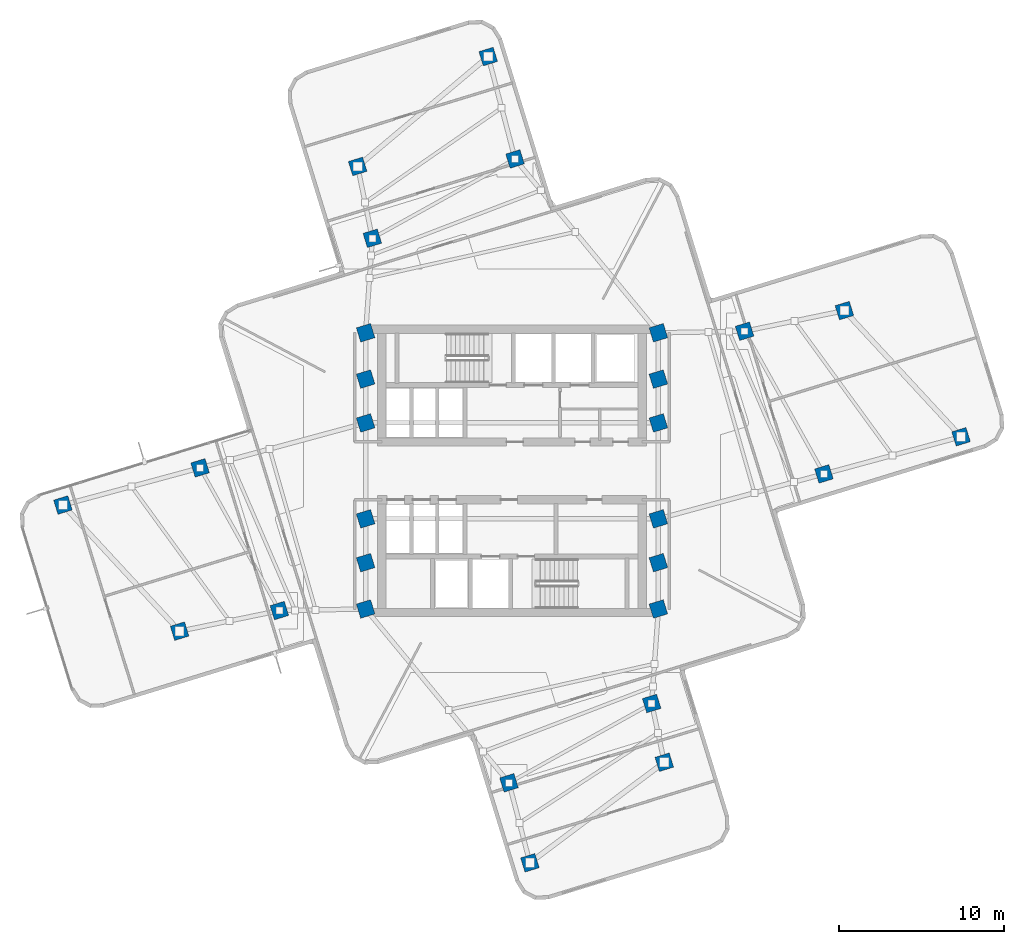
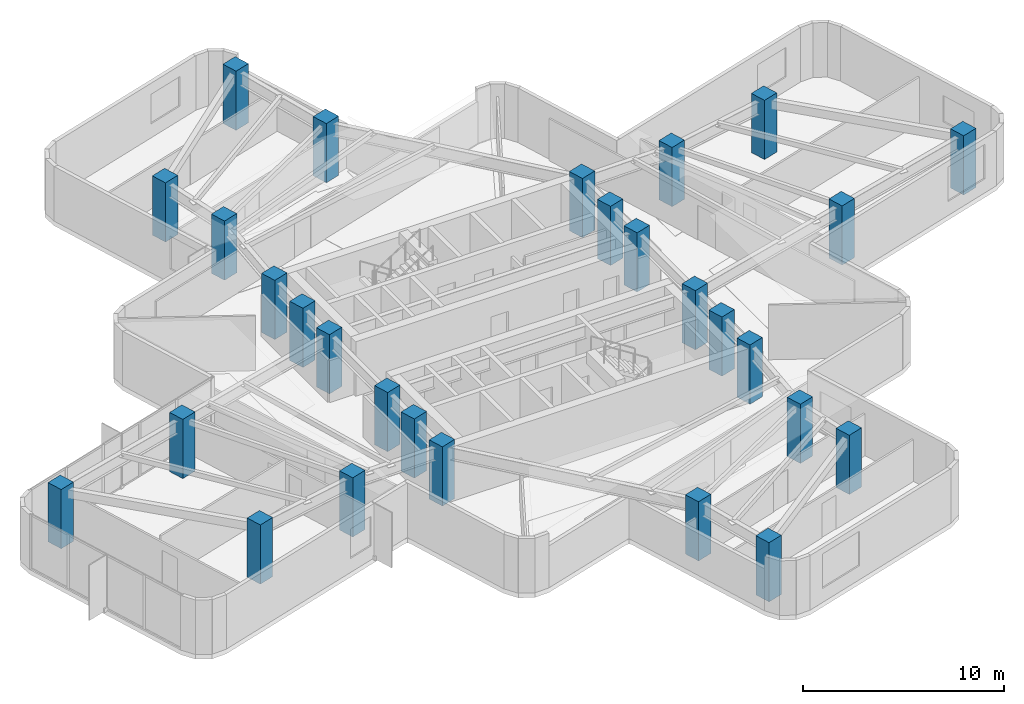
# One storey, part 1 of 10: 28 columns.
"""IFC4 building model written with IfcOpenShell, lengths in metres."""

from ifc_helpers import new_model, si_unit, direction, frame, origin, origin_2d, place, context, subcontext, project, spatial, rectangle, extrude, material, material_profile, profile_set, type_object, element, save


model = new_model("IFC4")

# Units and contexts
model_context = context("Model", 3, precision=1e-05, world=origin(), true_north=direction((0.0, 1.0)))
body_context = subcontext(model_context, "Body", "Model", "MODEL_VIEW")
ifc_project = project(units=[si_unit("LENGTHUNIT", "METRE"), si_unit("AREAUNIT", "SQUARE_METRE"), si_unit("VOLUMEUNIT", "CUBIC_METRE"), si_unit("PLANEANGLEUNIT", "RADIAN"), si_unit("MASSUNIT", "GRAM", prefix="KILO")], contexts=[model_context])

# Site, building, storey
site_placement = place(None, origin())
site = spatial("IfcSite", under=ifc_project, at=site_placement, CompositionType="ELEMENT")
building_placement = place(site_placement, origin())
building = spatial("IfcBuilding", under=site, at=building_placement, Name="Solmarez Civic Tower", CompositionType="ELEMENT")
storey_placement = place(building_placement, frame((0.0, 0.0, 148.679931640625)))
storey = spatial("IfcBuildingStorey", under=building, at=storey_placement, Name="L39", CompositionType="ELEMENT", Elevation=148.679931640625)

# Columns
ifc_material = material(Name="Concrete C50/60", Category="concrete")
ifc_material_profile = material_profile(ifc_material, rectangle(XDim=0.89990234375, YDim=0.89990234375, at=origin_2d()), Name="RC900X900")
ifc_profile_set = profile_set([ifc_material_profile], Name="Concrete C50/60")
column_type = type_object("IfcColumnType", Name="COL-RC900", PredefinedType="COLUMN", material=ifc_profile_set)
for number, where, z_axis, x_axis, name in (
    (1, (-8.85009765625, -5.550048828125, 0.0), (0.0, 0.0, 1.0), (0.955793014798, 0.294040325232, 0.0), "L39 Structural Column HC1"),
    (2, (-8.85009765625, -2.89990234375, 0.0), (0.0, 0.0, 1.0), (0.955793014798, 0.294040325232, 0.0), "L39 Structural Column HC2"),
    (3, (-8.85009765625, 2.89990234375, 0.0), (0.0, 0.0, 1.0), (0.955793014798, 0.294040325232, 0.0), "L39 Structural Column HC3"),
    (4, (-8.85009765625, 5.550048828125, 0.0), (0.0, 0.0, 1.0), (0.955793014798, 0.294040325232, 0.0), "L39 Structural Column HC4"),
    (5, (8.85009765625, -5.550048828125, 0.0), (0.0, 0.0, 1.0), (0.955793014798, 0.294040325232, 0.0), "L39 Structural Column HC5"),
    (6, (8.85009765625, -2.89990234375, 0.0), (0.0, 0.0, 1.0), (0.955793014798, 0.294040325232, 0.0), "L39 Structural Column HC6"),
    (7, (8.85009765625, 2.89990234375, 0.0), (0.0, 0.0, 1.0), (0.955793014798, 0.294040325232, 0.0), "L39 Structural Column HC7"),
    (8, (8.85009765625, 5.550048828125, 0.0), (0.0, 0.0, 1.0), (0.955793014798, 0.294040325232, 0.0), "L39 Structural Column HC8"),
    (9, (-8.85009765625, 8.35009765625, 0.0), (0.0, 0.0, 1.0), (0.955793014798, 0.294040325232, 0.0), "L39 Structural Column HC9"),
    (10, (8.85009765625, -8.35009765625, 0.0), (0.0, 0.0, 1.0), (0.955793014798, 0.294040325232, 0.0), "L39 Structural Column HC10"),
    (11, (8.85009765625, 8.35009765625, 0.0), (0.0, 0.0, 1.0), (0.955793014798, 0.294040325232, 0.0), "L39 Structural Column HC11"),
    (12, (-8.85009765625, -8.35009765625, 0.0), (0.0, 0.0, 1.0), (0.955793014798, 0.294040325232, 0.0), "L39 Structural Column HC12"),
    (13, (18.860107421875, -0.18310546875, 0.0), (0.0, 0.0, 1.0), (0.955793014798, 0.294040325232, 0.0), "L39 Structural Column EA11"),
    (14, (14.06396484375, 8.445068359375, 0.0), (0.0, 0.0, 1.0), (0.955793014798, 0.294040325232, 0.0), "L39 Structural Column EA12"),
    (15, (27.153076171875, 2.06396484375, 0.0), (0.0, 0.0, 1.0), (0.955793014798, 0.294040325232, 0.0), "L39 Structural Column EA21"),
    (16, (20.097900390625, 9.69189453125, 0.0), (0.0, 0.0, 1.0), (0.955793014798, 0.294040325232, 0.0), "L39 Structural Column EA22"),
    (17, (0.18310546875, 18.860107421875, 0.0), (0.0, 0.0, 1.0), (0.955793014798, 0.294040325232, 0.0), "L39 Structural Column NA11"),
    (18, (-8.445068359375, 14.06396484375, 0.0), (0.0, 0.0, 1.0), (0.955793014798, 0.294040325232, 0.0), "L39 Structural Column NA12"),
    (19, (-1.43701171875, 25.052001953125, 0.0), (0.0, 0.0, 1.0), (0.955793014798, 0.294040325232, 0.0), "L39 Structural Column NA21"),
    (20, (-9.3330078125, 18.408935546875, 0.0), (0.0, 0.0, 1.0), (0.955793014798, 0.294040325232, 0.0), "L39 Structural Column NA22"),
    (21, (-18.860107421875, 0.18310546875, 0.0), (0.0, 0.0, 1.0), (0.955793014798, 0.294040325232, 0.0), "L39 Structural Column WA11"),
    (22, (-14.06396484375, -8.445068359375, 0.0), (0.0, 0.0, 1.0), (0.955793014798, 0.294040325232, 0.0), "L39 Structural Column WA12"),
    (23, (-27.153076171875, -2.06396484375, 0.0), (0.0, 0.0, 1.0), (0.955793014798, 0.294040325232, 0.0), "L39 Structural Column WA21"),
    (24, (-20.097900390625, -9.69189453125, 0.0), (0.0, 0.0, 1.0), (0.955793014798, 0.294040325232, 0.0), "L39 Structural Column WA22"),
    (25, (-0.18310546875, -18.860107421875, 0.0), (0.0, 0.0, 1.0), (0.955793014798, 0.294040325232, 0.0), "L39 Structural Column SA11"),
    (26, (8.445068359375, -14.06396484375, 0.0), (0.0, 0.0, 1.0), (0.955793014798, 0.294040325232, 0.0), "L39 Structural Column SA12"),
    (27, (1.0830078125, -23.697021484375, 0.0), (0.0, 0.0, 1.0), (0.955793014798, 0.294040325232, 0.0), "L39 Structural Column SA21"),
    (28, (9.2080078125, -17.614990234375, 0.0), (0.0, 0.0, 1.0), (0.955793014798, 0.294040325232, 0.0), "L39 Structural Column SA22"),
):
    element("IfcColumn", number, at=place(storey_placement, frame(where, z_axis=z_axis, x_axis=x_axis)), inside=storey, type_object=column_type, Name=name, PredefinedType="COLUMN", context=body_context, shape_type="SweptSolid", body=[
        extrude(rectangle(XDim=0.89990234375, YDim=0.89990234375, at=origin_2d()), origin(), (0.0, 0.0, 1.0), 3.60009765625),
    ])

save(model, "model.ifc")
